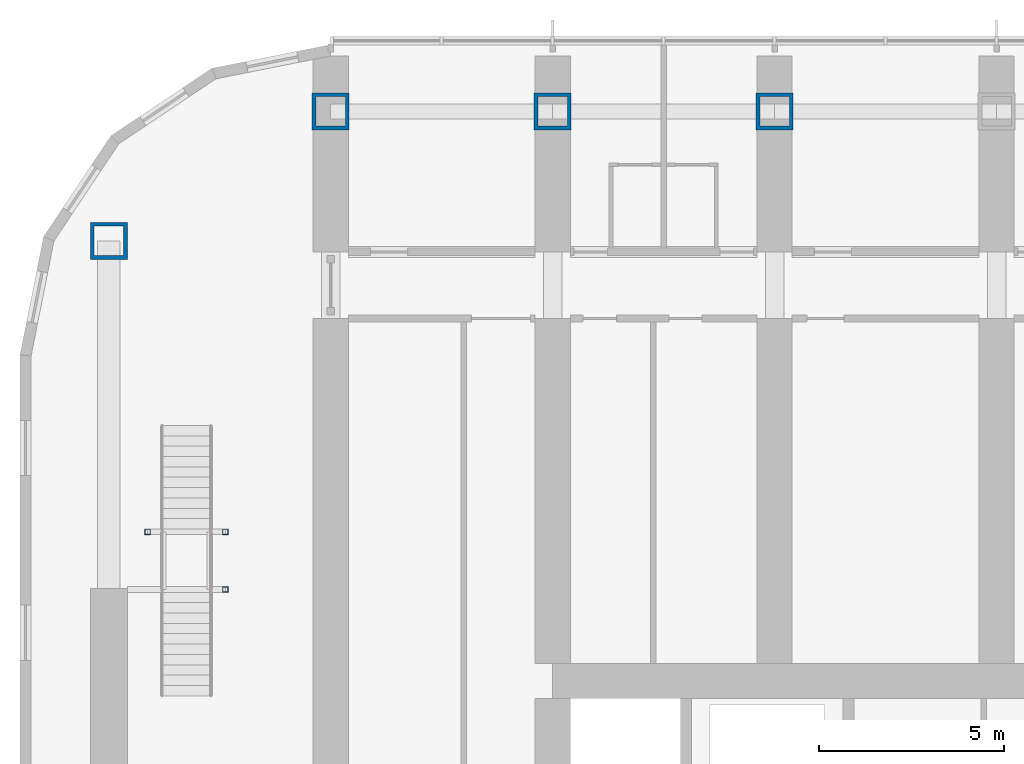
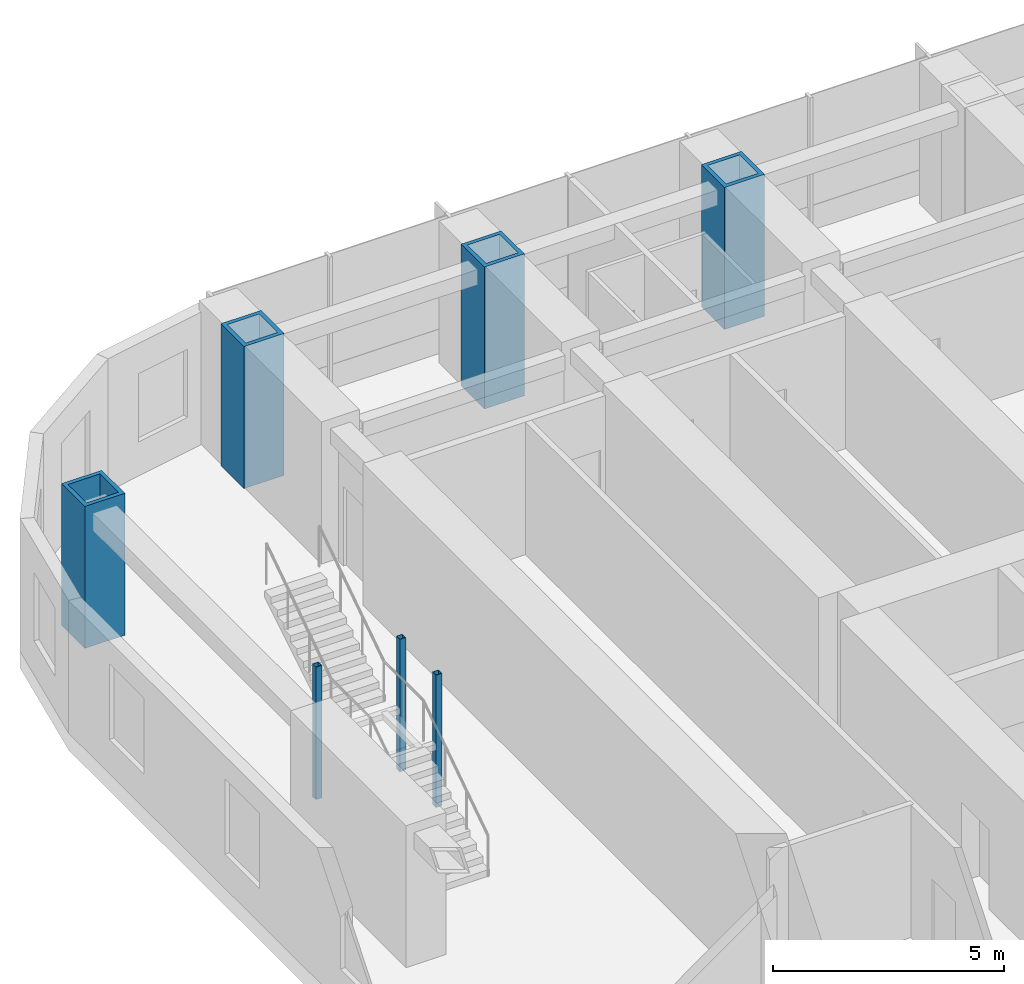
# One storey, part 2 of 25: 7 columns.
"""IFC4 building model written with IfcOpenShell, lengths in metres."""

from ifc_helpers import new_model, si_unit, direction, frame, origin, origin_2d, place, context, subcontext, project, spatial, hollow_rectangle, extrude, material, material_profile, profile_set, type_object, element, save


model = new_model("IFC4")

# Units and contexts
model_context = context("Model", 3, precision=1e-05, world=origin(), true_north=direction((0.0, 1.0)))
body_context = subcontext(model_context, "Body", "Model", "MODEL_VIEW")
ifc_project = project(units=[si_unit("LENGTHUNIT", "METRE"), si_unit("AREAUNIT", "SQUARE_METRE"), si_unit("VOLUMEUNIT", "CUBIC_METRE"), si_unit("PLANEANGLEUNIT", "RADIAN"), si_unit("MASSUNIT", "GRAM", prefix="KILO")], contexts=[model_context])

# Site, building, storey
site_placement = place(None, origin())
site = spatial("IfcSite", under=ifc_project, at=site_placement, CompositionType="ELEMENT")
building_placement = place(site_placement, origin())
building = spatial("IfcBuilding", under=site, at=building_placement, Name="Orbita Commons", CompositionType="ELEMENT")
storey_placement = place(building_placement, frame((0.0, 0.0, 99.39990234375)))
storey = spatial("IfcBuildingStorey", under=building, at=storey_placement, Name="L24", CompositionType="ELEMENT", Elevation=99.39990234375)

# Columns
ifc_material_1 = material(Name="Steel ASTM A992", Category="steel")
ifc_material_profile_1 = material_profile(ifc_material_1, hollow_rectangle(XDim=0.14990234375, YDim=0.14990234375, WallThickness=0.008056640625, at=origin_2d()), Name="SHS 150x150x8")
ifc_profile_set_1 = profile_set([ifc_material_profile_1], Name="Steel ASTM A992")
column_type_1 = type_object("IfcColumnType", Name="Landing post SHS 150x150x8", PredefinedType="COLUMN", material=ifc_profile_set_1)
for number, where, z_axis, x_axis, name in (
    (1, (9.14990234375, 40.675048828125, 0.0), (0.0, 0.0, 1.0), (1.0, 0.0, 0.0), "Neighbourhood stair L24 to L25 landing post 2"),
    (2, (7.050048828125, 42.235107421875, 0.0), (0.0, 0.0, 1.0), (1.0, 0.0, 0.0), "Neighbourhood stair L24 to L25 landing post 3"),
    (3, (9.14990234375, 42.235107421875, 0.0), (0.0, 0.0, 1.0), (1.0, 0.0, 0.0), "Neighbourhood stair L24 to L25 landing post 4"),
):
    element("IfcColumn", number, at=place(storey_placement, frame(where, z_axis=z_axis, x_axis=x_axis)), inside=storey, type_object=column_type_1, Name=name, PredefinedType="COLUMN", context=body_context, shape_type="SweptSolid", body=[
        extrude(hollow_rectangle(XDim=0.14990234375, YDim=0.14990234375, WallThickness=0.008056640625, at=origin_2d()), origin(), (0.0, 0.0, 1.0), 3.5),
    ])
ifc_material_2 = material(Name="Steel ASTM A572 Gr 50 welded plate", Category="steel")
ifc_material_profile_2 = material_profile(ifc_material_2, hollow_rectangle(XDim=1.0, YDim=1.0, WallThickness=0.10009765625, at=origin_2d()), Name="BOX 1000x1000x100")
ifc_profile_set_2 = profile_set([ifc_material_profile_2], Name="Steel ASTM A572 Gr 50 welded plate")
column_type_2 = type_object("IfcColumnType", Name="Steel column BOX 1000x1000x100", PredefinedType="COLUMN", material=ifc_profile_set_2)
for number, where, z_axis, x_axis, name in (
    (4, (12.0, 53.60009765625, 0.0), (0.0, 0.0, 1.0), (1.0, 0.0, 0.0), "Column 3/E L24"),
    (5, (18.0, 53.60009765625, 0.0), (0.0, 0.0, 1.0), (1.0, 0.0, 0.0), "Column 4/E L24"),
    (6, (24.0, 53.60009765625, 0.0), (0.0, 0.0, 1.0), (1.0, 0.0, 0.0), "Column 5/E L24"),
    (7, (6.0, 50.10009765625, 0.0), (0.0, 0.0, 1.0), (1.0, 0.0, 0.0), "Column 2/50.1 L24"),
):
    element("IfcColumn", number, at=place(storey_placement, frame(where, z_axis=z_axis, x_axis=x_axis)), inside=storey, type_object=column_type_2, Name=name, PredefinedType="COLUMN", context=body_context, shape_type="SweptSolid", body=[
        extrude(hollow_rectangle(XDim=1.0, YDim=1.0, WallThickness=0.10009765625, at=origin_2d()), origin(), (0.0, 0.0, 1.0), 3.75),
    ])

save(model, "model.ifc")
